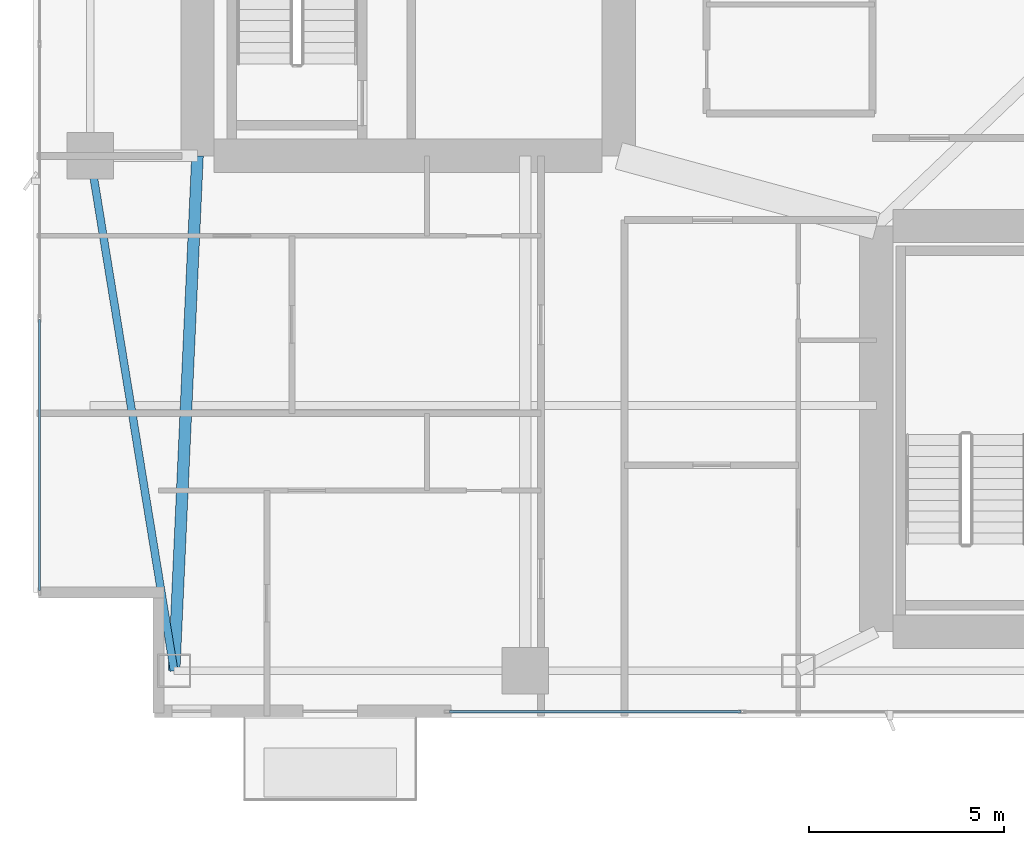
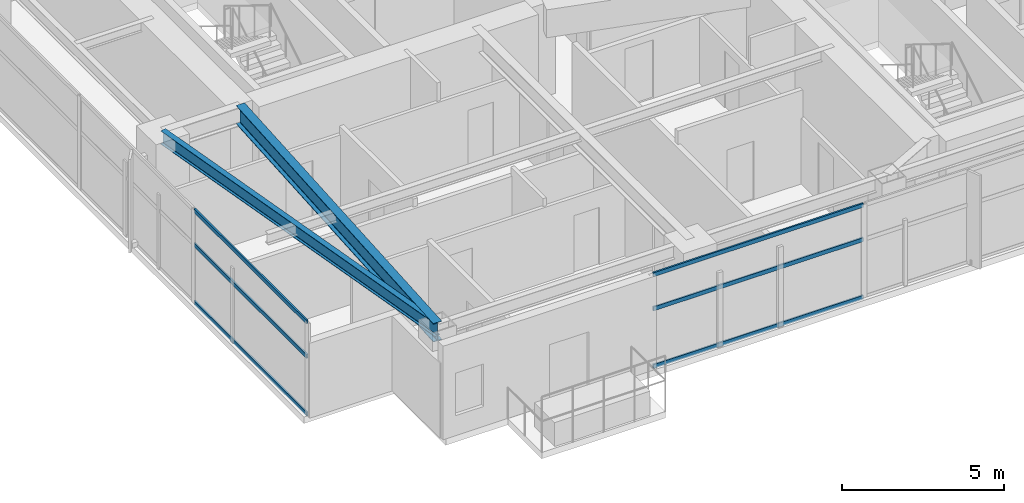
# One storey, part 3 of 28: 6 members, 2 beams, 2 elements without a shape of their own.
"""IFC4 building model written with IfcOpenShell, lengths in metres."""

import ifcopenshell
import ifcopenshell.guid

model = None  # the IFC model being written
_history = None  # IfcOwnerHistory: only IFC2X3 demands one
_inside = {}  # id of a spatial element -> (the spatial element, [elements in it])
_under = {}  # id of a project, library or spatial element -> (it, [spatial elements below it])
_declared = {}  # id of a project -> (the project, [libraries it declares])
_typed = {}  # id of a type object -> (the type object, [elements of that type])
_made_of = {}  # id of a material, layer set ... -> (it, [elements and type objects made of it])


def new_model(schema):
    """Start an empty IFC model of exactly this schema.

    Asked for "IFC4X3", IfcOpenShell would pick the latest addendum, in which some entities
    have other attributes; the version numbers below select the first issue.
    IFC2X3 requires an IfcOwnerHistory on every rooted entity: one is made here for all.
    """
    global model, _history
    if schema == "IFC4X3":
        model = ifcopenshell.file(schema_version=(4, 3, 0, 0))
    else:
        model = ifcopenshell.file(schema=schema)
    _inside.clear()
    _under.clear()
    _declared.clear()
    _typed.clear()
    _made_of.clear()
    _history = None
    if model.schema == "IFC2X3":
        org = make("IfcOrganization", Name="unknown")
        user = make(
            "IfcPersonAndOrganization",
            ThePerson=make("IfcPerson", FamilyName="unknown"),
            TheOrganization=org,
        )
        app = make(
            "IfcApplication",
            ApplicationDeveloper=org,
            Version="unknown",
            ApplicationFullName="unknown",
            ApplicationIdentifier="unknown",
        )
        _history = make(
            "IfcOwnerHistory",
            OwningUser=user,
            OwningApplication=app,
            ChangeAction="ADDED",
            CreationDate=0,
        )
    return model


def make(cls, **values):
    """One entity of the class cls with the attributes given. An attribute that is None is left unset."""
    return model.create_entity(
        cls, **{name: value for name, value in values.items() if value is not None}
    )


def rooted(cls, **values):
    """An entity with a GlobalId (a new one), such as an element, a storey or a relation."""
    return make(cls, GlobalId=ifcopenshell.guid.new(), OwnerHistory=_history, **values)


def si_unit(unit_type, name, prefix=None):
    """IfcSIUnit, for example si_unit("LENGTHUNIT", "METRE", prefix="MILLI")."""
    return make("IfcSIUnit", UnitType=unit_type, Prefix=prefix, Name=name)


def assignment(units):
    """IfcUnitAssignment: the units of a project."""
    return None if units is None else make("IfcUnitAssignment", Units=units)


def point(xyz):
    """IfcCartesianPoint."""
    return None if xyz is None else make("IfcCartesianPoint", Coordinates=xyz)


def direction(xyz):
    """IfcDirection."""
    return None if xyz is None else make("IfcDirection", DirectionRatios=xyz)


def frame(location, z_axis=None, x_axis=None):
    """IfcAxis2Placement3D, a coordinate frame: its origin and axes. An axis left out is left unset."""
    return make(
        "IfcAxis2Placement3D",
        Location=point(location),
        Axis=direction(z_axis),
        RefDirection=direction(x_axis),
    )


def frame_2d(location, x_axis=None):
    """IfcAxis2Placement2D, a coordinate frame in the plane: its origin and x axis."""
    return make(
        "IfcAxis2Placement2D", Location=point(location), RefDirection=direction(x_axis)
    )


def origin():
    """The frame at (0, 0, 0) with its axes left unset."""
    return frame((0.0, 0.0, 0.0))


def origin_2d():
    """The frame at (0, 0) in the plane with its x axis left unset."""
    return frame_2d((0.0, 0.0))


def place(relative_to, where):
    """IfcLocalPlacement: puts the frame where relative to a parent placement (None: the world)."""
    return make(
        "IfcLocalPlacement", PlacementRelTo=relative_to, RelativePlacement=where
    )


def context(
    kind, dimensions, precision=None, world=None, true_north=None, identifier=None
):
    """IfcGeometricRepresentationContext, for example the 3D "Model" context."""
    return make(
        "IfcGeometricRepresentationContext",
        ContextIdentifier=identifier,
        ContextType=kind,
        CoordinateSpaceDimension=dimensions,
        Precision=precision,
        WorldCoordinateSystem=world,
        TrueNorth=true_north,
    )


def subcontext(parent, identifier, kind, view, scale=None):
    """IfcGeometricRepresentationSubContext, for example "Body" below "Model"."""
    return make(
        "IfcGeometricRepresentationSubContext",
        ContextIdentifier=identifier,
        ContextType=kind,
        ParentContext=parent,
        TargetScale=scale,
        TargetView=view,
    )


def project(units=None, contexts=None):
    """IfcProject with its units and contexts."""
    return rooted(
        "IfcProject",
        Name="project",
        RepresentationContexts=contexts,
        UnitsInContext=assignment(units),
    )


def spatial(cls, under=None, at=None, **own):
    """A site, building, storey or space (cls), placed at a placement, below another one or the project."""
    s = rooted(cls, ObjectPlacement=at, **own)
    if under is not None:
        _under.setdefault(under.id(), (under, []))[1].append(s)
    return s


def profile(cls, at=None, kind="AREA", **sizes):
    """A parametric profile (cls). Its sizes go by their IFC names, for example OverallWidth=200.0."""
    return make(cls, ProfileType=kind, Position=at, **sizes)


def hollow_rectangle(**sizes):
    """IfcRectangleHollowProfileDef."""
    return profile("IfcRectangleHollowProfileDef", **sizes)


def i_section(**sizes):
    """IfcIShapeProfileDef."""
    return profile("IfcIShapeProfileDef", **sizes)


def extrude(swept, where, along, depth):
    """IfcExtrudedAreaSolid: the profile swept, set in the frame where, extruded along a direction by depth."""
    return make(
        "IfcExtrudedAreaSolid",
        SweptArea=swept,
        Position=where,
        ExtrudedDirection=direction(along),
        Depth=depth,
    )


def shape(context_of_items, identifier, shape_type, items):
    """IfcShapeRepresentation: the items that make up one representation, for example the "Body"."""
    return make(
        "IfcShapeRepresentation",
        ContextOfItems=context_of_items,
        RepresentationIdentifier=identifier,
        RepresentationType=shape_type,
        Items=items,
    )


def material(Name=None, Category=None):
    """IfcMaterial."""
    return make("IfcMaterial", Name=Name, Category=Category)


def layer(
    of_material, thickness, ventilated=None, Name=None, Category=None, Priority=None
):
    """IfcMaterialLayer: one layer of a wall or slab, of a material (None: an air gap)."""
    return make(
        "IfcMaterialLayer",
        Material=of_material,
        LayerThickness=thickness,
        IsVentilated=ventilated,
        Name=Name,
        Category=Category,
        Priority=Priority,
    )


def layer_set(layers, Name=None):
    """IfcMaterialLayerSet."""
    return make("IfcMaterialLayerSet", MaterialLayers=layers, LayerSetName=Name)


def material_profile(
    of_material, cross_section, Name=None, Category=None, Priority=None
):
    """IfcMaterialProfile: a cross section and its material."""
    return make(
        "IfcMaterialProfile",
        Name=Name,
        Material=of_material,
        Profile=cross_section,
        Priority=Priority,
        Category=Category,
    )


def profile_set(profiles, Name=None, composite=None):
    """IfcMaterialProfileSet."""
    return make(
        "IfcMaterialProfileSet",
        Name=Name,
        MaterialProfiles=profiles,
        CompositeProfile=composite,
    )


def made_of(thing, what):
    """Note that an element or type object is made of a material, layer set ...; save() writes the relation."""
    if what is not None:
        _made_of.setdefault(what.id(), (what, []))[1].append(thing)
    return thing


def type_object(cls, material=None, **own):
    """A type object (cls), such as IfcWallType, which elements share."""
    return made_of(rooted(cls, **own), material)


def element(
    cls,
    number,
    at=None,
    inside=None,
    cuts=None,
    type_object=None,
    material=None,
    context=None,
    identifier="Body",
    shape_type=None,
    held_by="IfcProductDefinitionShape",
    body=None,
    shapes=None,
    **own,
):
    """One element of the class cls, such as IfcWall. Its Tag is "e" and its number.

    at: its placement. inside: the storey or other place that contains it. cuts: it is an
    opening in that element (IfcRelVoidsElement). A single representation is given by context,
    identifier, shape_type and body (its items); several are given by shapes. held_by: the class
    of the entity that holds the representations. save() writes the other relations.
    """
    e = rooted(cls, Tag="e%d" % number, ObjectPlacement=at, **own)
    if body is not None:
        shapes = [shape(context, identifier, shape_type, body)]
    if shapes is not None:
        e.Representation = make(held_by, Representations=shapes)
    if inside is not None:
        _inside.setdefault(inside.id(), (inside, []))[1].append(e)
    if cuts is not None:
        rooted(
            "IfcRelVoidsElement", RelatingBuildingElement=cuts, RelatedOpeningElement=e
        )
    if type_object is not None:
        _typed.setdefault(type_object.id(), (type_object, []))[1].append(e)
    return made_of(e, material)


def aggregate(whole, parts):
    """IfcRelAggregates: a whole, such as a stair, and the parts it consists of."""
    return rooted("IfcRelAggregates", RelatingObject=whole, RelatedObjects=parts)


def save(model, path):
    """Write the relations noted so far, then the file.

    IfcRelAggregates (storeys below a building ...), IfcRelContainedInSpatialStructure (elements
    in a storey), IfcRelDefinesByType, IfcRelAssociatesMaterial and IfcRelDeclares: one each for
    every whole, place, type object, material and project.
    """
    for whole, parts in _under.values():
        aggregate(whole, parts)
    for where, things in _inside.values():
        rooted(
            "IfcRelContainedInSpatialStructure",
            RelatedElements=things,
            RelatingStructure=where,
        )
    for kind, things in _typed.values():
        rooted("IfcRelDefinesByType", RelatedObjects=things, RelatingType=kind)
    for what, things in _made_of.values():
        rooted("IfcRelAssociatesMaterial", RelatedObjects=things, RelatingMaterial=what)
    for by, libraries in _declared.values():
        rooted("IfcRelDeclares", RelatingContext=by, RelatedDefinitions=libraries)
    model.write(path)


model = new_model("IFC4")

# Units and contexts
model_context = context("Model", 3, precision=1e-05, world=origin(), true_north=direction((0.0, 1.0)))
body_context = subcontext(model_context, "Body", "Model", "MODEL_VIEW")
ifc_project = project(units=[si_unit("LENGTHUNIT", "METRE"), si_unit("AREAUNIT", "SQUARE_METRE"), si_unit("VOLUMEUNIT", "CUBIC_METRE"), si_unit("PLANEANGLEUNIT", "RADIAN"), si_unit("MASSUNIT", "GRAM", prefix="KILO")], contexts=[model_context])

# Site, building, storey
site_placement = place(None, origin())
site = spatial("IfcSite", under=ifc_project, at=site_placement, CompositionType="ELEMENT")
building_placement = place(site_placement, origin())
building = spatial("IfcBuilding", under=site, at=building_placement, Name="Calvorn Quay Hotel", CompositionType="ELEMENT")
storey_placement = place(building_placement, frame((0.0, 0.0, 135.39990234375)))
storey = spatial("IfcBuildingStorey", under=building, at=storey_placement, Name="L33", CompositionType="ELEMENT", Elevation=135.39990234375)

# Beams
ifc_material_1 = material(Name="Steel Q390GJC", Category="steel")
ifc_material_profile_1 = material_profile(ifc_material_1, i_section(OverallWidth=0.300048828125, OverallDepth=0.699951171875, WebThickness=0.012939453125, FlangeThickness=0.02392578125, FilletRadius=0.02392578125, at=origin_2d()), Name="HN700x300x13x24")
ifc_profile_set_1 = profile_set([ifc_material_profile_1], Name="Steel Q390GJC")
beam_type_1 = type_object("IfcBeamType", Name="BM-GIRD-MAIN", PredefinedType="BEAM", material=ifc_profile_set_1)
beam_1_placement = place(storey_placement, frame((3.60009765625, 3.60009765625, 3.170166015625), z_axis=(0.045396765494, 0.998969035397, 0.0), x_axis=(-0.998969035397, 0.045396765494, 0.0)))
element("IfcBeam", 1, at=beam_1_placement, inside=storey, type_object=beam_type_1, Name="Beam BG-L33-W0", PredefinedType="BEAM", context=body_context, shape_type="SweptSolid", body=[
    extrude(i_section(OverallWidth=0.300048828125, OverallDepth=0.699951171875, WebThickness=0.012939453125, FlangeThickness=0.02392578125, FilletRadius=0.02392578125, at=origin_2d()), origin(), (0.0, 0.0, 1.0), 13.213623046875),
])
ifc_material_2 = material(Name="Steel Q355B", Category="steel")
ifc_material_profile_2 = material_profile(ifc_material_2, i_section(OverallWidth=0.199951171875, OverallDepth=0.5, WebThickness=0.010009765625, FlangeThickness=0.01611328125, FilletRadius=0.01611328125, at=origin_2d()), Name="HN500x200x10x16")
ifc_profile_set_2 = profile_set([ifc_material_profile_2], Name="Steel Q355B")
beam_type_2 = type_object("IfcBeamType", Name="BM-SPANDREL-Z1", PredefinedType="SPANDREL", material=ifc_profile_set_2)
beam_2_placement = place(storey_placement, frame((3.60009765625, 3.60009765625, 3.27001953125), z_axis=(-0.16077155054, 0.986991645627, 0.0), x_axis=(-0.986991645627, -0.16077155054, 0.0)))
element("IfcBeam", 2, at=beam_2_placement, inside=storey, type_object=beam_type_2, Name="Beam BSP-L33-W1", PredefinedType="SPANDREL", context=body_context, shape_type="SweptSolid", body=[
    extrude(i_section(OverallWidth=0.199951171875, OverallDepth=0.5, WebThickness=0.010009765625, FlangeThickness=0.01611328125, FilletRadius=0.01611328125, at=origin_2d()), origin(), (0.0, 0.0, 1.0), 13.3740234375),
])

# Curtain wall, members
ifc_material_3 = material(Name="Pale Anodised Aluminium and Low-E Glass", Category="aluminium")
ifc_layer = layer(ifc_material_3, 0.219970703125)
ifc_layer_set = layer_set([ifc_layer], Name="CW-SYS-Z2")
curtain_wall_type = type_object("IfcCurtainWallType", Name="CW-SYS-Z2", PredefinedType="NOTDEFINED", material=ifc_layer_set)
curtain_wall_1_placement = place(storey_placement, origin())
curtain_wall_1 = element("IfcCurtainWall", 3, at=curtain_wall_1_placement, inside=storey, type_object=curtain_wall_type, Name="Tower West Curtain Wall (L33)", PredefinedType="NOTDEFINED")
ifc_material_4 = material(Name="Pale Anodised Aluminium 6063-T6", Category="aluminium")
ifc_material_profile_3 = material_profile(ifc_material_4, hollow_rectangle(XDim=0.06005859375, YDim=0.14990234375, WallThickness=0.00341796875, at=origin_2d()), Name="ALU-T150x60x3.5")
ifc_profile_set_3 = profile_set([ifc_material_profile_3], Name="Pale Anodised Aluminium 6063-T6")
member_type = type_object("IfcMemberType", Name="CW-SYS-Z2-TRN", PredefinedType="USERDEFINED", material=ifc_profile_set_3)
member_1_placement = place(storey_placement, frame((0.14990234375, 5.659912109375, 0.030029296875), z_axis=(0.0, 1.0, 0.0), x_axis=(-1.0, 0.0, 0.0)))
member_1 = element("IfcMember", 4, at=member_1_placement, type_object=member_type, Name="CW-L33-W transom 1.1", ObjectType="TRANSOM", PredefinedType="USERDEFINED", context=body_context, shape_type="SweptSolid", body=[
    extrude(hollow_rectangle(XDim=0.06005859375, YDim=0.14990234375, WallThickness=0.00341796875, at=origin_2d()), origin(), (0.0, 0.0, 1.0), 6.943359375),
])
member_2_placement = place(storey_placement, frame((0.14990234375, 5.659912109375, 2.2001953125), z_axis=(0.0, 1.0, 0.0), x_axis=(-1.0, 0.0, 0.0)))
member_2 = element("IfcMember", 5, at=member_2_placement, type_object=member_type, Name="CW-L33-W transom 1.2", ObjectType="TRANSOM", PredefinedType="USERDEFINED", context=body_context, shape_type="SweptSolid", body=[
    extrude(hollow_rectangle(XDim=0.06005859375, YDim=0.14990234375, WallThickness=0.00341796875, at=origin_2d()), origin(), (0.0, 0.0, 1.0), 6.943359375),
])
member_3_placement = place(storey_placement, frame((0.14990234375, 5.659912109375, 3.489990234375), z_axis=(0.0, 1.0, 0.0), x_axis=(-1.0, 0.0, 0.0)))
member_3 = element("IfcMember", 6, at=member_3_placement, type_object=member_type, Name="CW-L33-W transom 1.3", ObjectType="TRANSOM", PredefinedType="USERDEFINED", context=body_context, shape_type="SweptSolid", body=[
    extrude(hollow_rectangle(XDim=0.06005859375, YDim=0.14990234375, WallThickness=0.00341796875, at=origin_2d()), origin(), (0.0, 0.0, 1.0), 6.943359375),
])
aggregate(curtain_wall_1, [member_1, member_2, member_3])

curtain_wall_2_placement = place(storey_placement, origin())
curtain_wall_2 = element("IfcCurtainWall", 7, at=curtain_wall_2_placement, inside=storey, type_object=curtain_wall_type, Name="Tower South Waterfront Curtain Wall (L33)", PredefinedType="NOTDEFINED")
member_4_placement = place(storey_placement, frame((10.659912109375, 2.550048828125, 0.030029296875), z_axis=(1.0, 0.0, 0.0), x_axis=(0.0, 1.0, 0.0)))
member_4 = element("IfcMember", 8, at=member_4_placement, type_object=member_type, Name="CW-L33-S transom 1.1", ObjectType="TRANSOM", PredefinedType="USERDEFINED", context=body_context, shape_type="SweptSolid", body=[
    extrude(hollow_rectangle(XDim=0.06005859375, YDim=0.14990234375, WallThickness=0.00341796875, at=origin_2d()), origin(), (0.0, 0.0, 1.0), 7.476806640625),
])
member_5_placement = place(storey_placement, frame((10.659912109375, 2.550048828125, 2.2001953125), z_axis=(1.0, 0.0, 0.0), x_axis=(0.0, 1.0, 0.0)))
member_5 = element("IfcMember", 9, at=member_5_placement, type_object=member_type, Name="CW-L33-S transom 1.2", ObjectType="TRANSOM", PredefinedType="USERDEFINED", context=body_context, shape_type="SweptSolid", body=[
    extrude(hollow_rectangle(XDim=0.06005859375, YDim=0.14990234375, WallThickness=0.00341796875, at=origin_2d()), origin(), (0.0, 0.0, 1.0), 7.476806640625),
])
member_6_placement = place(storey_placement, frame((10.659912109375, 2.550048828125, 3.489990234375), z_axis=(1.0, 0.0, 0.0), x_axis=(0.0, 1.0, 0.0)))
member_6 = element("IfcMember", 10, at=member_6_placement, type_object=member_type, Name="CW-L33-S transom 1.3", ObjectType="TRANSOM", PredefinedType="USERDEFINED", context=body_context, shape_type="SweptSolid", body=[
    extrude(hollow_rectangle(XDim=0.06005859375, YDim=0.14990234375, WallThickness=0.00341796875, at=origin_2d()), origin(), (0.0, 0.0, 1.0), 7.476806640625),
])
aggregate(curtain_wall_2, [member_4, member_5, member_6])

save(model, "model.ifc")
